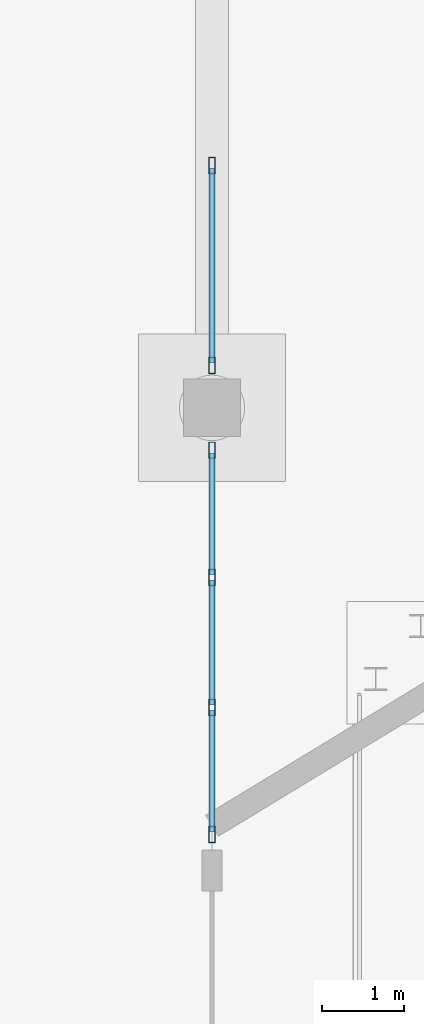
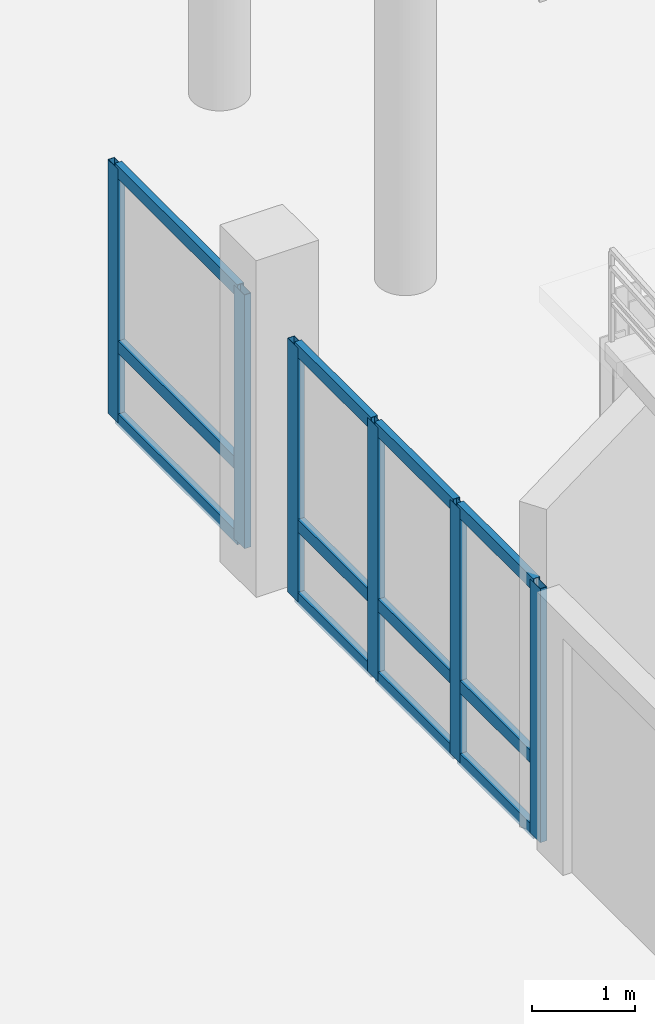
# One storey, part 36 of 56: 18 members, 2 elements without a shape of their own.
"""IFC4 building model written with IfcOpenShell, lengths in metres."""

import ifcopenshell
import ifcopenshell.guid

model = None  # the IFC model being written
_history = None  # IfcOwnerHistory: only IFC2X3 demands one
_inside = {}  # id of a spatial element -> (the spatial element, [elements in it])
_under = {}  # id of a project, library or spatial element -> (it, [spatial elements below it])
_declared = {}  # id of a project -> (the project, [libraries it declares])
_typed = {}  # id of a type object -> (the type object, [elements of that type])
_made_of = {}  # id of a material, layer set ... -> (it, [elements and type objects made of it])


def new_model(schema):
    """Start an empty IFC model of exactly this schema.

    Asked for "IFC4X3", IfcOpenShell would pick the latest addendum, in which some entities
    have other attributes; the version numbers below select the first issue.
    IFC2X3 requires an IfcOwnerHistory on every rooted entity: one is made here for all.
    """
    global model, _history
    if schema == "IFC4X3":
        model = ifcopenshell.file(schema_version=(4, 3, 0, 0))
    else:
        model = ifcopenshell.file(schema=schema)
    _inside.clear()
    _under.clear()
    _declared.clear()
    _typed.clear()
    _made_of.clear()
    _history = None
    if model.schema == "IFC2X3":
        org = make("IfcOrganization", Name="unknown")
        user = make(
            "IfcPersonAndOrganization",
            ThePerson=make("IfcPerson", FamilyName="unknown"),
            TheOrganization=org,
        )
        app = make(
            "IfcApplication",
            ApplicationDeveloper=org,
            Version="unknown",
            ApplicationFullName="unknown",
            ApplicationIdentifier="unknown",
        )
        _history = make(
            "IfcOwnerHistory",
            OwningUser=user,
            OwningApplication=app,
            ChangeAction="ADDED",
            CreationDate=0,
        )
    return model


def make(cls, **values):
    """One entity of the class cls with the attributes given. An attribute that is None is left unset."""
    return model.create_entity(
        cls, **{name: value for name, value in values.items() if value is not None}
    )


def rooted(cls, **values):
    """An entity with a GlobalId (a new one), such as an element, a storey or a relation."""
    return make(cls, GlobalId=ifcopenshell.guid.new(), OwnerHistory=_history, **values)


def si_unit(unit_type, name, prefix=None):
    """IfcSIUnit, for example si_unit("LENGTHUNIT", "METRE", prefix="MILLI")."""
    return make("IfcSIUnit", UnitType=unit_type, Prefix=prefix, Name=name)


def assignment(units):
    """IfcUnitAssignment: the units of a project."""
    return None if units is None else make("IfcUnitAssignment", Units=units)


def point(xyz):
    """IfcCartesianPoint."""
    return None if xyz is None else make("IfcCartesianPoint", Coordinates=xyz)


def direction(xyz):
    """IfcDirection."""
    return None if xyz is None else make("IfcDirection", DirectionRatios=xyz)


def frame(location, z_axis=None, x_axis=None):
    """IfcAxis2Placement3D, a coordinate frame: its origin and axes. An axis left out is left unset."""
    return make(
        "IfcAxis2Placement3D",
        Location=point(location),
        Axis=direction(z_axis),
        RefDirection=direction(x_axis),
    )


def frame_2d(location, x_axis=None):
    """IfcAxis2Placement2D, a coordinate frame in the plane: its origin and x axis."""
    return make(
        "IfcAxis2Placement2D", Location=point(location), RefDirection=direction(x_axis)
    )


def origin():
    """The frame at (0, 0, 0) with its axes left unset."""
    return frame((0.0, 0.0, 0.0))


def origin_2d():
    """The frame at (0, 0) in the plane with its x axis left unset."""
    return frame_2d((0.0, 0.0))


def place(relative_to, where):
    """IfcLocalPlacement: puts the frame where relative to a parent placement (None: the world)."""
    return make(
        "IfcLocalPlacement", PlacementRelTo=relative_to, RelativePlacement=where
    )


def context(
    kind, dimensions, precision=None, world=None, true_north=None, identifier=None
):
    """IfcGeometricRepresentationContext, for example the 3D "Model" context."""
    return make(
        "IfcGeometricRepresentationContext",
        ContextIdentifier=identifier,
        ContextType=kind,
        CoordinateSpaceDimension=dimensions,
        Precision=precision,
        WorldCoordinateSystem=world,
        TrueNorth=true_north,
    )


def subcontext(parent, identifier, kind, view, scale=None):
    """IfcGeometricRepresentationSubContext, for example "Body" below "Model"."""
    return make(
        "IfcGeometricRepresentationSubContext",
        ContextIdentifier=identifier,
        ContextType=kind,
        ParentContext=parent,
        TargetScale=scale,
        TargetView=view,
    )


def project(units=None, contexts=None):
    """IfcProject with its units and contexts."""
    return rooted(
        "IfcProject",
        Name="project",
        RepresentationContexts=contexts,
        UnitsInContext=assignment(units),
    )


def spatial(cls, under=None, at=None, **own):
    """A site, building, storey or space (cls), placed at a placement, below another one or the project."""
    s = rooted(cls, ObjectPlacement=at, **own)
    if under is not None:
        _under.setdefault(under.id(), (under, []))[1].append(s)
    return s


def profile(cls, at=None, kind="AREA", **sizes):
    """A parametric profile (cls). Its sizes go by their IFC names, for example OverallWidth=200.0."""
    return make(cls, ProfileType=kind, Position=at, **sizes)


def hollow_rectangle(**sizes):
    """IfcRectangleHollowProfileDef."""
    return profile("IfcRectangleHollowProfileDef", **sizes)


def extrude(swept, where, along, depth):
    """IfcExtrudedAreaSolid: the profile swept, set in the frame where, extruded along a direction by depth."""
    return make(
        "IfcExtrudedAreaSolid",
        SweptArea=swept,
        Position=where,
        ExtrudedDirection=direction(along),
        Depth=depth,
    )


def shape(context_of_items, identifier, shape_type, items):
    """IfcShapeRepresentation: the items that make up one representation, for example the "Body"."""
    return make(
        "IfcShapeRepresentation",
        ContextOfItems=context_of_items,
        RepresentationIdentifier=identifier,
        RepresentationType=shape_type,
        Items=items,
    )


def material(Name=None, Category=None):
    """IfcMaterial."""
    return make("IfcMaterial", Name=Name, Category=Category)


def material_profile(
    of_material, cross_section, Name=None, Category=None, Priority=None
):
    """IfcMaterialProfile: a cross section and its material."""
    return make(
        "IfcMaterialProfile",
        Name=Name,
        Material=of_material,
        Profile=cross_section,
        Priority=Priority,
        Category=Category,
    )


def profile_set(profiles, Name=None, composite=None):
    """IfcMaterialProfileSet."""
    return make(
        "IfcMaterialProfileSet",
        Name=Name,
        MaterialProfiles=profiles,
        CompositeProfile=composite,
    )


def made_of(thing, what):
    """Note that an element or type object is made of a material, layer set ...; save() writes the relation."""
    if what is not None:
        _made_of.setdefault(what.id(), (what, []))[1].append(thing)
    return thing


def type_object(cls, material=None, **own):
    """A type object (cls), such as IfcWallType, which elements share."""
    return made_of(rooted(cls, **own), material)


def element(
    cls,
    number,
    at=None,
    inside=None,
    cuts=None,
    type_object=None,
    material=None,
    context=None,
    identifier="Body",
    shape_type=None,
    held_by="IfcProductDefinitionShape",
    body=None,
    shapes=None,
    **own,
):
    """One element of the class cls, such as IfcWall. Its Tag is "e" and its number.

    at: its placement. inside: the storey or other place that contains it. cuts: it is an
    opening in that element (IfcRelVoidsElement). A single representation is given by context,
    identifier, shape_type and body (its items); several are given by shapes. held_by: the class
    of the entity that holds the representations. save() writes the other relations.
    """
    e = rooted(cls, Tag="e%d" % number, ObjectPlacement=at, **own)
    if body is not None:
        shapes = [shape(context, identifier, shape_type, body)]
    if shapes is not None:
        e.Representation = make(held_by, Representations=shapes)
    if inside is not None:
        _inside.setdefault(inside.id(), (inside, []))[1].append(e)
    if cuts is not None:
        rooted(
            "IfcRelVoidsElement", RelatingBuildingElement=cuts, RelatedOpeningElement=e
        )
    if type_object is not None:
        _typed.setdefault(type_object.id(), (type_object, []))[1].append(e)
    return made_of(e, material)


def aggregate(whole, parts):
    """IfcRelAggregates: a whole, such as a stair, and the parts it consists of."""
    return rooted("IfcRelAggregates", RelatingObject=whole, RelatedObjects=parts)


def save(model, path):
    """Write the relations noted so far, then the file.

    IfcRelAggregates (storeys below a building ...), IfcRelContainedInSpatialStructure (elements
    in a storey), IfcRelDefinesByType, IfcRelAssociatesMaterial and IfcRelDeclares: one each for
    every whole, place, type object, material and project.
    """
    for whole, parts in _under.values():
        aggregate(whole, parts)
    for where, things in _inside.values():
        rooted(
            "IfcRelContainedInSpatialStructure",
            RelatedElements=things,
            RelatingStructure=where,
        )
    for kind, things in _typed.values():
        rooted("IfcRelDefinesByType", RelatedObjects=things, RelatingType=kind)
    for what, things in _made_of.values():
        rooted("IfcRelAssociatesMaterial", RelatedObjects=things, RelatingMaterial=what)
    for by, libraries in _declared.values():
        rooted("IfcRelDeclares", RelatingContext=by, RelatedDefinitions=libraries)
    model.write(path)


model = new_model("IFC4")

# Units and contexts
model_context = context("Model", 3, precision=1e-05, world=origin(), true_north=direction((0.0, 1.0)))
body_context = subcontext(model_context, "Body", "Model", "MODEL_VIEW")
ifc_project = project(units=[si_unit("LENGTHUNIT", "METRE"), si_unit("AREAUNIT", "SQUARE_METRE"), si_unit("VOLUMEUNIT", "CUBIC_METRE"), si_unit("PLANEANGLEUNIT", "RADIAN"), si_unit("MASSUNIT", "GRAM", prefix="KILO")], contexts=[model_context])

# Site, building, storey
site_placement = place(None, origin())
site = spatial("IfcSite", under=ifc_project, at=site_placement, CompositionType="ELEMENT")
building_placement = place(site_placement, origin())
building = spatial("IfcBuilding", under=site, at=building_placement, Name="Suanplinth Sawtooth Commons", CompositionType="ELEMENT")
storey_placement = place(building_placement, frame((0.0, 0.0, -4.199951171875)))
storey = spatial("IfcBuildingStorey", under=building, at=storey_placement, Name="B1", CompositionType="ELEMENT", Elevation=-4.199951171875)

# Curtain wall, members
ifc_material_1 = material(Name="Anodized aluminium and low-E glazing", Category="aluminium")
curtain_wall_type = type_object("IfcCurtainWallType", Name="CW-05", PredefinedType="USERDEFINED", material=ifc_material_1)
curtain_wall_1_placement = place(storey_placement, origin())
curtain_wall_1 = element("IfcCurtainWall", 1, at=curtain_wall_1_placement, inside=storey, type_object=curtain_wall_type, Name="Curtain Wall CW-B1-FOYER-1", ObjectType="CURTAIN WALL", PredefinedType="USERDEFINED")
ifc_material_2 = material(Name="Anodized aluminium 6063-T6", Category="aluminium")
ifc_material_profile_1 = material_profile(ifc_material_2, hollow_rectangle(XDim=0.074951171875, YDim=0.199951171875, WallThickness=0.0048828125, at=origin_2d()), Name="ALU-MUL 75x200")
ifc_profile_set_1 = profile_set([ifc_material_profile_1], Name="Anodized aluminium 6063-T6")
member_type_1 = type_object("IfcMemberType", Name="M-14", PredefinedType="MULLION", material=ifc_profile_set_1)
member_1_placement = place(storey_placement, frame((57.60009765625, 37.987548828125, 0.0), z_axis=(0.0, 0.0, 1.0), x_axis=(-1.0, 0.0, 0.0)))
member_1 = element("IfcMember", 2, at=member_1_placement, type_object=member_type_1, Name="CW-05 mullion 1", PredefinedType="MULLION", context=body_context, shape_type="SweptSolid", body=[
    extrude(hollow_rectangle(XDim=0.074951171875, YDim=0.199951171875, WallThickness=0.0048828125, at=origin_2d()), origin(), (0.0, 0.0, 1.0), 3.0),
])
member_2_placement = place(storey_placement, frame((57.60009765625, 39.5400390625, 0.0), z_axis=(0.0, 0.0, 1.0), x_axis=(-1.0, 0.0, 0.0)))
member_2 = element("IfcMember", 3, at=member_2_placement, type_object=member_type_1, Name="CW-05 mullion 2", PredefinedType="MULLION", context=body_context, shape_type="SweptSolid", body=[
    extrude(hollow_rectangle(XDim=0.074951171875, YDim=0.199951171875, WallThickness=0.0048828125, at=origin_2d()), origin(), (0.0, 0.0, 1.0), 3.0),
])
member_3_placement = place(storey_placement, frame((57.60009765625, 41.1298828125, 0.0), z_axis=(0.0, 0.0, 1.0), x_axis=(-1.0, 0.0, 0.0)))
member_3 = element("IfcMember", 4, at=member_3_placement, type_object=member_type_1, Name="CW-05 mullion 3", PredefinedType="MULLION", context=body_context, shape_type="SweptSolid", body=[
    extrude(hollow_rectangle(XDim=0.074951171875, YDim=0.199951171875, WallThickness=0.0048828125, at=origin_2d()), origin(), (0.0, 0.0, 1.0), 3.0),
])
member_4_placement = place(storey_placement, frame((57.60009765625, 42.6826171875, 0.0), z_axis=(0.0, 0.0, 1.0), x_axis=(-1.0, 0.0, 0.0)))
member_4 = element("IfcMember", 5, at=member_4_placement, type_object=member_type_1, Name="CW-05 mullion 4", PredefinedType="MULLION", context=body_context, shape_type="SweptSolid", body=[
    extrude(hollow_rectangle(XDim=0.074951171875, YDim=0.199951171875, WallThickness=0.0048828125, at=origin_2d()), origin(), (0.0, 0.0, 1.0), 3.0),
])

curtain_wall_2_placement = place(storey_placement, origin())
curtain_wall_2 = element("IfcCurtainWall", 6, at=curtain_wall_2_placement, inside=storey, type_object=curtain_wall_type, Name="Curtain Wall CW-B1-FOYER-2", ObjectType="CURTAIN WALL", PredefinedType="USERDEFINED")
member_5_placement = place(storey_placement, frame((57.60009765625, 43.717529296875, 0.0), z_axis=(0.0, 0.0, 1.0), x_axis=(-1.0, 0.0, 0.0)))
member_5 = element("IfcMember", 7, at=member_5_placement, type_object=member_type_1, Name="CW-05 mullion 1", PredefinedType="MULLION", context=body_context, shape_type="SweptSolid", body=[
    extrude(hollow_rectangle(XDim=0.074951171875, YDim=0.199951171875, WallThickness=0.0048828125, at=origin_2d()), origin(), (0.0, 0.0, 1.0), 3.0),
])
member_6_placement = place(storey_placement, frame((57.60009765625, 46.16259765625, 0.0), z_axis=(0.0, 0.0, 1.0), x_axis=(-1.0, 0.0, 0.0)))
member_6 = element("IfcMember", 8, at=member_6_placement, type_object=member_type_1, Name="CW-05 mullion 2", PredefinedType="MULLION", context=body_context, shape_type="SweptSolid", body=[
    extrude(hollow_rectangle(XDim=0.074951171875, YDim=0.199951171875, WallThickness=0.0048828125, at=origin_2d()), origin(), (0.0, 0.0, 1.0), 3.0),
])

# Member
ifc_material_profile_2 = material_profile(ifc_material_2, hollow_rectangle(XDim=0.074951171875, YDim=0.14990234375, WallThickness=0.00439453125, at=origin_2d()), Name="ALU-TRN 75x150")
ifc_profile_set_2 = profile_set([ifc_material_profile_2], Name="Anodized aluminium 6063-T6")
member_type_2 = type_object("IfcMemberType", Name="M-16", PredefinedType="USERDEFINED", material=ifc_profile_set_2)
member_7_placement = place(storey_placement, frame((57.60009765625, 38.02490234375, 0.037353515625), z_axis=(0.0, 1.0, 0.0), x_axis=(-1.0, 0.0, 0.0)))
member_7 = element("IfcMember", 9, at=member_7_placement, type_object=member_type_2, Name="CW-05 transom 1.1", ObjectType="TRANSOM", PredefinedType="USERDEFINED", context=body_context, shape_type="SweptSolid", body=[
    extrude(hollow_rectangle(XDim=0.074951171875, YDim=0.14990234375, WallThickness=0.00439453125, at=origin_2d()), origin(), (0.0, 0.0, 1.0), 1.4775390625),
])

member_8_placement = place(storey_placement, frame((57.60009765625, 38.02490234375, 0.89990234375), z_axis=(0.0, 1.0, 0.0), x_axis=(-1.0, 0.0, 0.0)))
member_8 = element("IfcMember", 10, at=member_8_placement, type_object=member_type_2, Name="CW-05 transom 1.2", ObjectType="TRANSOM", PredefinedType="USERDEFINED", context=body_context, shape_type="SweptSolid", body=[
    extrude(hollow_rectangle(XDim=0.074951171875, YDim=0.14990234375, WallThickness=0.00439453125, at=origin_2d()), origin(), (0.0, 0.0, 1.0), 1.4775390625),
])

member_9_placement = place(storey_placement, frame((57.60009765625, 38.02490234375, 2.96240234375), z_axis=(0.0, 1.0, 0.0), x_axis=(-1.0, 0.0, 0.0)))
member_9 = element("IfcMember", 11, at=member_9_placement, type_object=member_type_2, Name="CW-05 transom 1.3", ObjectType="TRANSOM", PredefinedType="USERDEFINED", context=body_context, shape_type="SweptSolid", body=[
    extrude(hollow_rectangle(XDim=0.074951171875, YDim=0.14990234375, WallThickness=0.00439453125, at=origin_2d()), origin(), (0.0, 0.0, 1.0), 1.4775390625),
])

member_10_placement = place(storey_placement, frame((57.60009765625, 39.577392578125, 0.037353515625), z_axis=(0.0, 1.0, 0.0), x_axis=(-1.0, 0.0, 0.0)))
member_10 = element("IfcMember", 12, at=member_10_placement, type_object=member_type_2, Name="CW-05 transom 2.1", ObjectType="TRANSOM", PredefinedType="USERDEFINED", context=body_context, shape_type="SweptSolid", body=[
    extrude(hollow_rectangle(XDim=0.074951171875, YDim=0.14990234375, WallThickness=0.00439453125, at=origin_2d()), origin(), (0.0, 0.0, 1.0), 1.51513671875),
])

member_11_placement = place(storey_placement, frame((57.60009765625, 39.577392578125, 0.89990234375), z_axis=(0.0, 1.0, 0.0), x_axis=(-1.0, 0.0, 0.0)))
member_11 = element("IfcMember", 13, at=member_11_placement, type_object=member_type_2, Name="CW-05 transom 2.2", ObjectType="TRANSOM", PredefinedType="USERDEFINED", context=body_context, shape_type="SweptSolid", body=[
    extrude(hollow_rectangle(XDim=0.074951171875, YDim=0.14990234375, WallThickness=0.00439453125, at=origin_2d()), origin(), (0.0, 0.0, 1.0), 1.51513671875),
])

member_12_placement = place(storey_placement, frame((57.60009765625, 39.577392578125, 2.96240234375), z_axis=(0.0, 1.0, 0.0), x_axis=(-1.0, 0.0, 0.0)))
member_12 = element("IfcMember", 14, at=member_12_placement, type_object=member_type_2, Name="CW-05 transom 2.3", ObjectType="TRANSOM", PredefinedType="USERDEFINED", context=body_context, shape_type="SweptSolid", body=[
    extrude(hollow_rectangle(XDim=0.074951171875, YDim=0.14990234375, WallThickness=0.00439453125, at=origin_2d()), origin(), (0.0, 0.0, 1.0), 1.51513671875),
])

member_13_placement = place(storey_placement, frame((57.60009765625, 41.16748046875, 0.037353515625), z_axis=(0.0, 1.0, 0.0), x_axis=(-1.0, 0.0, 0.0)))
member_13 = element("IfcMember", 15, at=member_13_placement, type_object=member_type_2, Name="CW-05 transom 3.1", ObjectType="TRANSOM", PredefinedType="USERDEFINED", context=body_context, shape_type="SweptSolid", body=[
    extrude(hollow_rectangle(XDim=0.074951171875, YDim=0.14990234375, WallThickness=0.00439453125, at=origin_2d()), origin(), (0.0, 0.0, 1.0), 1.4775390625),
])

member_14_placement = place(storey_placement, frame((57.60009765625, 41.16748046875, 0.89990234375), z_axis=(0.0, 1.0, 0.0), x_axis=(-1.0, 0.0, 0.0)))
member_14 = element("IfcMember", 16, at=member_14_placement, type_object=member_type_2, Name="CW-05 transom 3.2", ObjectType="TRANSOM", PredefinedType="USERDEFINED", context=body_context, shape_type="SweptSolid", body=[
    extrude(hollow_rectangle(XDim=0.074951171875, YDim=0.14990234375, WallThickness=0.00439453125, at=origin_2d()), origin(), (0.0, 0.0, 1.0), 1.4775390625),
])

member_15_placement = place(storey_placement, frame((57.60009765625, 41.16748046875, 2.96240234375), z_axis=(0.0, 1.0, 0.0), x_axis=(-1.0, 0.0, 0.0)))
member_15 = element("IfcMember", 17, at=member_15_placement, type_object=member_type_2, Name="CW-05 transom 3.3", ObjectType="TRANSOM", PredefinedType="USERDEFINED", context=body_context, shape_type="SweptSolid", body=[
    extrude(hollow_rectangle(XDim=0.074951171875, YDim=0.14990234375, WallThickness=0.00439453125, at=origin_2d()), origin(), (0.0, 0.0, 1.0), 1.4775390625),
])

aggregate(curtain_wall_1, [member_1, member_2, member_3, member_4, member_7, member_8, member_9, member_10, member_11, member_12, member_13, member_14, member_15])

member_16_placement = place(storey_placement, frame((57.60009765625, 43.7548828125, 0.037353515625), z_axis=(0.0, 1.0, 0.0), x_axis=(-1.0, 0.0, 0.0)))
member_16 = element("IfcMember", 18, at=member_16_placement, type_object=member_type_2, Name="CW-05 transom 1.1", ObjectType="TRANSOM", PredefinedType="USERDEFINED", context=body_context, shape_type="SweptSolid", body=[
    extrude(hollow_rectangle(XDim=0.074951171875, YDim=0.14990234375, WallThickness=0.00439453125, at=origin_2d()), origin(), (0.0, 0.0, 1.0), 2.3701171875),
])

member_17_placement = place(storey_placement, frame((57.60009765625, 43.7548828125, 0.89990234375), z_axis=(0.0, 1.0, 0.0), x_axis=(-1.0, 0.0, 0.0)))
member_17 = element("IfcMember", 19, at=member_17_placement, type_object=member_type_2, Name="CW-05 transom 1.2", ObjectType="TRANSOM", PredefinedType="USERDEFINED", context=body_context, shape_type="SweptSolid", body=[
    extrude(hollow_rectangle(XDim=0.074951171875, YDim=0.14990234375, WallThickness=0.00439453125, at=origin_2d()), origin(), (0.0, 0.0, 1.0), 2.3701171875),
])

member_18_placement = place(storey_placement, frame((57.60009765625, 43.7548828125, 2.96240234375), z_axis=(0.0, 1.0, 0.0), x_axis=(-1.0, 0.0, 0.0)))
member_18 = element("IfcMember", 20, at=member_18_placement, type_object=member_type_2, Name="CW-05 transom 1.3", ObjectType="TRANSOM", PredefinedType="USERDEFINED", context=body_context, shape_type="SweptSolid", body=[
    extrude(hollow_rectangle(XDim=0.074951171875, YDim=0.14990234375, WallThickness=0.00439453125, at=origin_2d()), origin(), (0.0, 0.0, 1.0), 2.3701171875),
])

aggregate(curtain_wall_2, [member_5, member_6, member_16, member_17, member_18])

save(model, "model.ifc")
